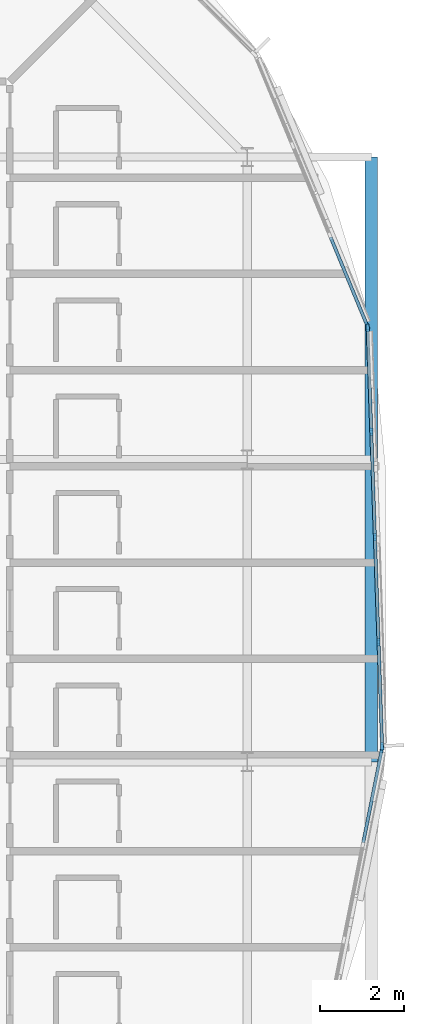
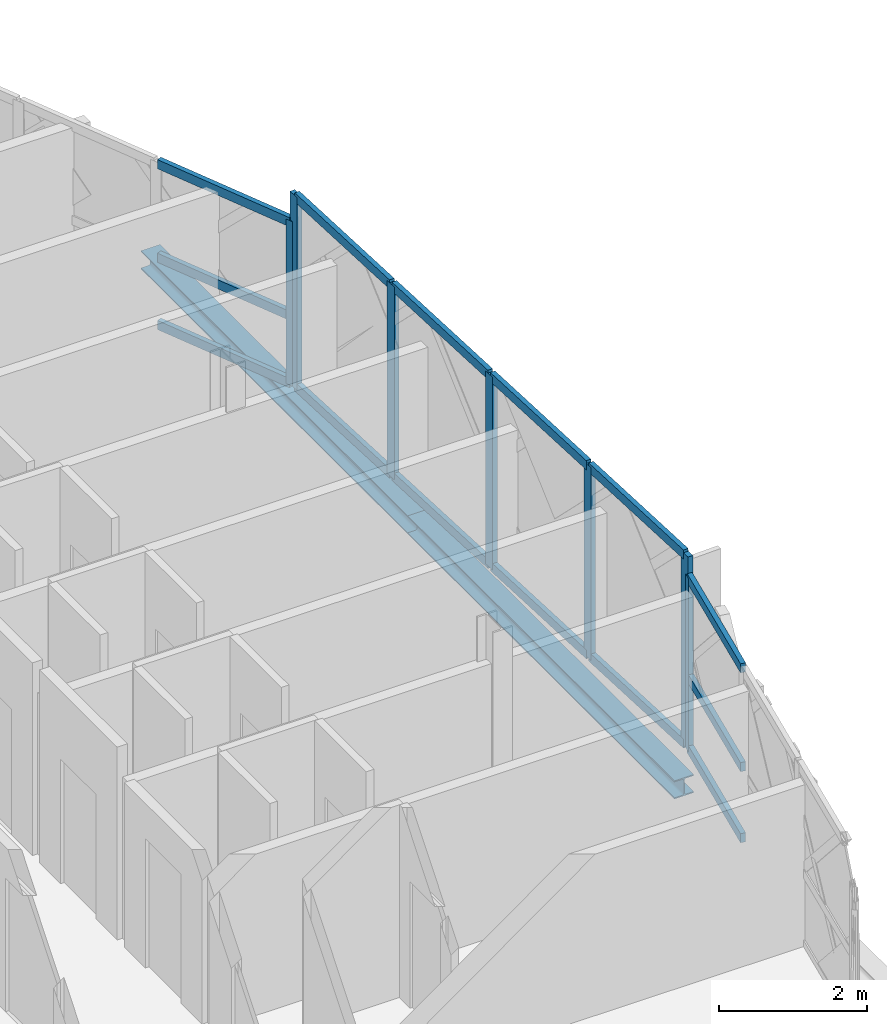
# One storey, part 9 of 25: 21 members, 2 beams, 3 elements without a shape of their own.
"""IFC4 building model written with IfcOpenShell, lengths in metres."""

from ifc_helpers import new_model, si_unit, direction, frame, origin, origin_2d, place, context, subcontext, project, spatial, rectangle, i_section, extrude, material, layer, layer_set, material_profile, profile_set, type_object, element, aggregate, save


model = new_model("IFC4")

# Units and contexts
model_context = context("Model", 3, precision=1e-05, world=origin(), true_north=direction((0.0, 1.0)))
body_context = subcontext(model_context, "Body", "Model", "MODEL_VIEW")
ifc_project = project(units=[si_unit("LENGTHUNIT", "METRE"), si_unit("AREAUNIT", "SQUARE_METRE"), si_unit("VOLUMEUNIT", "CUBIC_METRE"), si_unit("PLANEANGLEUNIT", "RADIAN"), si_unit("MASSUNIT", "GRAM", prefix="KILO")], contexts=[model_context])

# Site, building, storey
site_placement = place(None, origin())
site = spatial("IfcSite", under=ifc_project, at=site_placement, CompositionType="ELEMENT")
building_placement = place(site_placement, origin())
building = spatial("IfcBuilding", under=site, at=building_placement, Name="Zevrakil Square Congress Hotel", CompositionType="ELEMENT")
storey_placement = place(building_placement, frame((0.0, 0.0, 28.300048828125)))
storey = spatial("IfcBuildingStorey", under=building, at=storey_placement, Name="L08", CompositionType="ELEMENT", Elevation=28.300048828125)

# Curtain wall, members
ifc_material_1 = material(Name="Aluminium Anodised Bronze", Category="aluminium")
ifc_layer_1 = layer(ifc_material_1, 0.179931640625)
ifc_layer_set_1 = layer_set([ifc_layer_1], Name="Aluminium Anodised Bronze")
curtain_wall_type_1 = type_object("IfcCurtainWallType", Name="CW-L08-720", PredefinedType="USERDEFINED", material=ifc_layer_set_1)
curtain_wall_1_placement = place(storey_placement, origin())
curtain_wall_1 = element("IfcCurtainWall", 1, at=curtain_wall_1_placement, inside=storey, type_object=curtain_wall_type_1, Name="L08 diamond curtain wall CW-L08-0238", ObjectType="GLAZED CURTAIN WALL", PredefinedType="USERDEFINED")
ifc_material_2 = material(Name="Aluminium Anodised Bronze", Category="aluminium")
ifc_material_profile_1 = material_profile(ifc_material_2, rectangle(XDim=0.074951171875, YDim=0.14990234375, at=origin_2d()), Name="ALU 75x150")
ifc_profile_set_1 = profile_set([ifc_material_profile_1], Name="Aluminium Anodised Bronze")
member_type_1 = type_object("IfcMemberType", Name="CWM-ALU75x150", PredefinedType="USERDEFINED", material=ifc_profile_set_1)
member_1_placement = place(storey_placement, frame((165.96484375, 22.07958984375, 0.030029296875), z_axis=(0.195070495322, 0.98078922397, 0.0), x_axis=(-0.98078922397, 0.195070495322, 0.0)))
member_1 = element("IfcMember", 2, at=member_1_placement, type_object=member_type_1, Name="CW-94 transom 3.1", ObjectType="TRANSOM", PredefinedType="USERDEFINED", context=body_context, shape_type="SweptSolid", body=[
    extrude(rectangle(XDim=0.074951171875, YDim=0.14990234375, at=origin_2d()), origin(), (0.0, 0.0, 1.0), 2.245361328125),
])
member_2_placement = place(storey_placement, frame((165.96484375, 22.07958984375, 1.201171875), z_axis=(0.195070495322, 0.98078922397, 0.0), x_axis=(-0.98078922397, 0.195070495322, 0.0)))
member_2 = element("IfcMember", 3, at=member_2_placement, type_object=member_type_1, Name="CW-94 transom 3.2", ObjectType="TRANSOM", PredefinedType="USERDEFINED", context=body_context, shape_type="SweptSolid", body=[
    extrude(rectangle(XDim=0.074951171875, YDim=0.14990234375, at=origin_2d()), origin(), (0.0, 0.0, 1.0), 2.245361328125),
])
member_3_placement = place(storey_placement, frame((165.96484375, 22.07958984375, 2.829833984375), z_axis=(0.195070495322, 0.98078922397, 0.0), x_axis=(-0.98078922397, 0.195070495322, 0.0)))
member_3 = element("IfcMember", 4, at=member_3_placement, type_object=member_type_1, Name="CW-94 transom 3.3", ObjectType="TRANSOM", PredefinedType="USERDEFINED", context=body_context, shape_type="SweptSolid", body=[
    extrude(rectangle(XDim=0.074951171875, YDim=0.14990234375, at=origin_2d()), origin(), (0.0, 0.0, 1.0), 2.245361328125),
])

ifc_material_3 = material(Name="Aluminium Anodised Bronze", Category="aluminium")
ifc_layer_2 = layer(ifc_material_3, 0.179931640625)
ifc_layer_set_2 = layer_set([ifc_layer_2], Name="Aluminium Anodised Bronze")
curtain_wall_type_2 = type_object("IfcCurtainWallType", Name="CW-L08-900", PredefinedType="USERDEFINED", material=ifc_layer_set_2)
curtain_wall_2_placement = place(storey_placement, origin())
curtain_wall_2 = element("IfcCurtainWall", 5, at=curtain_wall_2_placement, inside=storey, type_object=curtain_wall_type_2, Name="L08 diamond curtain wall CW-L08-0239", ObjectType="GLAZED CURTAIN WALL", PredefinedType="USERDEFINED")
member_4_placement = place(storey_placement, frame((166.412353515625, 24.400390625, 0.030029296875), z_axis=(-0.034343988701, 0.999410071212, 0.0), x_axis=(-0.999410071212, -0.034343988701, 0.0)))
member_4 = element("IfcMember", 6, at=member_4_placement, type_object=member_type_1, Name="CW-96 transom 1.1", ObjectType="TRANSOM", PredefinedType="USERDEFINED", context=body_context, shape_type="SweptSolid", body=[
    extrude(rectangle(XDim=0.074951171875, YDim=0.14990234375, at=origin_2d()), origin(), (0.0, 0.0, 1.0), 2.4169921875),
])
member_5_placement = place(storey_placement, frame((166.412353515625, 24.400390625, 3.14501953125), z_axis=(-0.034343988701, 0.999410071212, 0.0), x_axis=(-0.999410071212, -0.034343988701, 0.0)))
member_5 = element("IfcMember", 7, at=member_5_placement, type_object=member_type_1, Name="CW-96 transom 1.2", ObjectType="TRANSOM", PredefinedType="USERDEFINED", context=body_context, shape_type="SweptSolid", body=[
    extrude(rectangle(XDim=0.074951171875, YDim=0.14990234375, at=origin_2d()), origin(), (0.0, 0.0, 1.0), 2.4169921875),
])
member_6_placement = place(storey_placement, frame((166.3271484375, 26.8759765625, 0.030029296875), z_axis=(-0.034421040236, 0.999407420419, 0.0), x_axis=(-0.999407420419, -0.034421040236, 0.0)))
member_6 = element("IfcMember", 8, at=member_6_placement, type_object=member_type_1, Name="CW-96 transom 2.1", ObjectType="TRANSOM", PredefinedType="USERDEFINED", context=body_context, shape_type="SweptSolid", body=[
    extrude(rectangle(XDim=0.074951171875, YDim=0.14990234375, at=origin_2d()), origin(), (0.0, 0.0, 1.0), 2.447021484375),
])
member_7_placement = place(storey_placement, frame((166.3271484375, 26.8759765625, 3.14501953125), z_axis=(-0.034421040236, 0.999407420419, 0.0), x_axis=(-0.999407420419, -0.034421040236, 0.0)))
member_7 = element("IfcMember", 9, at=member_7_placement, type_object=member_type_1, Name="CW-96 transom 2.2", ObjectType="TRANSOM", PredefinedType="USERDEFINED", context=body_context, shape_type="SweptSolid", body=[
    extrude(rectangle(XDim=0.074951171875, YDim=0.14990234375, at=origin_2d()), origin(), (0.0, 0.0, 1.0), 2.447021484375),
])
member_8_placement = place(storey_placement, frame((166.240966796875, 29.38134765625, 0.030029296875), z_axis=(-0.034421040236, 0.999407420419, 0.0), x_axis=(-0.999407420419, -0.034421040236, 0.0)))
member_8 = element("IfcMember", 10, at=member_8_placement, type_object=member_type_1, Name="CW-96 transom 3.1", ObjectType="TRANSOM", PredefinedType="USERDEFINED", context=body_context, shape_type="SweptSolid", body=[
    extrude(rectangle(XDim=0.074951171875, YDim=0.14990234375, at=origin_2d()), origin(), (0.0, 0.0, 1.0), 2.447021484375),
])
member_9_placement = place(storey_placement, frame((166.240966796875, 29.38134765625, 3.14501953125), z_axis=(-0.034421040236, 0.999407420419, 0.0), x_axis=(-0.999407420419, -0.034421040236, 0.0)))
member_9 = element("IfcMember", 11, at=member_9_placement, type_object=member_type_1, Name="CW-96 transom 3.2", ObjectType="TRANSOM", PredefinedType="USERDEFINED", context=body_context, shape_type="SweptSolid", body=[
    extrude(rectangle(XDim=0.074951171875, YDim=0.14990234375, at=origin_2d()), origin(), (0.0, 0.0, 1.0), 2.447021484375),
])
member_10_placement = place(storey_placement, frame((166.15478515625, 31.88671875, 0.030029296875), z_axis=(-0.034444880763, 0.999406599032, 0.0), x_axis=(-0.999406599032, -0.034444880763, 0.0)))
member_10 = element("IfcMember", 12, at=member_10_placement, type_object=member_type_1, Name="CW-96 transom 4.1", ObjectType="TRANSOM", PredefinedType="USERDEFINED", context=body_context, shape_type="SweptSolid", body=[
    extrude(rectangle(XDim=0.074951171875, YDim=0.14990234375, at=origin_2d()), origin(), (0.0, 0.0, 1.0), 2.4169921875),
])
member_11_placement = place(storey_placement, frame((166.15478515625, 31.88671875, 3.14501953125), z_axis=(-0.034444880763, 0.999406599032, 0.0), x_axis=(-0.999406599032, -0.034444880763, 0.0)))
member_11 = element("IfcMember", 13, at=member_11_placement, type_object=member_type_1, Name="CW-96 transom 4.2", ObjectType="TRANSOM", PredefinedType="USERDEFINED", context=body_context, shape_type="SweptSolid", body=[
    extrude(rectangle(XDim=0.074951171875, YDim=0.14990234375, at=origin_2d()), origin(), (0.0, 0.0, 1.0), 2.4169921875),
])

curtain_wall_3_placement = place(storey_placement, origin())
curtain_wall_3 = element("IfcCurtainWall", 14, at=curtain_wall_3_placement, inside=storey, type_object=curtain_wall_type_1, Name="L08 diamond curtain wall CW-L08-0240", ObjectType="GLAZED CURTAIN WALL", PredefinedType="USERDEFINED")
member_12_placement = place(storey_placement, frame((166.046630859375, 34.417724609375, 0.030029296875), z_axis=(-0.382723093326, 0.923863103406, 0.0), x_axis=(-0.923863103406, -0.382723093326, 0.0)))
member_12 = element("IfcMember", 15, at=member_12_placement, type_object=member_type_1, Name="CW-94 transom 1.1", ObjectType="TRANSOM", PredefinedType="USERDEFINED", context=body_context, shape_type="SweptSolid", body=[
    extrude(rectangle(XDim=0.074951171875, YDim=0.14990234375, at=origin_2d()), origin(), (0.0, 0.0, 1.0), 2.245361328125),
])
member_13_placement = place(storey_placement, frame((166.046630859375, 34.417724609375, 1.13818359375), z_axis=(-0.382723093326, 0.923863103406, 0.0), x_axis=(-0.923863103406, -0.382723093326, 0.0)))
member_13 = element("IfcMember", 16, at=member_13_placement, type_object=member_type_1, Name="CW-94 transom 1.2", ObjectType="TRANSOM", PredefinedType="USERDEFINED", context=body_context, shape_type="SweptSolid", body=[
    extrude(rectangle(XDim=0.074951171875, YDim=0.14990234375, at=origin_2d()), origin(), (0.0, 0.0, 1.0), 2.245361328125),
])
member_14_placement = place(storey_placement, frame((166.046630859375, 34.417724609375, 2.679931640625), z_axis=(-0.382723093326, 0.923863103406, 0.0), x_axis=(-0.923863103406, -0.382723093326, 0.0)))
member_14 = element("IfcMember", 17, at=member_14_placement, type_object=member_type_1, Name="CW-94 transom 1.3", ObjectType="TRANSOM", PredefinedType="USERDEFINED", context=body_context, shape_type="SweptSolid", body=[
    extrude(rectangle(XDim=0.074951171875, YDim=0.14990234375, at=origin_2d()), origin(), (0.0, 0.0, 1.0), 2.245361328125),
])

# Member
ifc_material_4 = material(Name="Aluminium Anodised Bronze", Category="aluminium")
ifc_material_profile_2 = material_profile(ifc_material_4, rectangle(XDim=0.074951171875, YDim=0.179931640625, at=origin_2d()), Name="ALU 75x180")
ifc_profile_set_2 = profile_set([ifc_material_profile_2], Name="Aluminium Anodised Bronze")
member_type_2 = type_object("IfcMemberType", Name="CWM-ALU75x180", PredefinedType="MULLION", material=ifc_profile_set_2)
member_15_placement = place(storey_placement, frame((166.40869140625, 24.31103515625, 0.0), z_axis=(0.0, 0.0, 1.0), x_axis=(-0.980786557708, 0.195083900459, 0.0)))
member_15 = element("IfcMember", 18, at=member_15_placement, type_object=member_type_2, Name="CW-94 mullion 4", PredefinedType="MULLION", context=body_context, shape_type="SweptSolid", body=[
    extrude(rectangle(XDim=0.074951171875, YDim=0.179931640625, at=origin_2d()), origin(), (0.0, 0.0, 1.0), 2.85986328125),
])

aggregate(curtain_wall_1, [member_15, member_1, member_2, member_3])

member_16_placement = place(storey_placement, frame((166.41357421875, 24.370361328125, 0.0), z_axis=(0.0, 0.0, 1.0), x_axis=(-0.999407987418, -0.034404573593, 0.0)))
member_16 = element("IfcMember", 19, at=member_16_placement, type_object=member_type_2, Name="CW-96 mullion 1", PredefinedType="MULLION", context=body_context, shape_type="SweptSolid", body=[
    extrude(rectangle(XDim=0.074951171875, YDim=0.179931640625, at=origin_2d()), origin(), (0.0, 0.0, 1.0), 3.175048828125),
])

member_17_placement = place(storey_placement, frame((166.328369140625, 26.845947265625, 0.0), z_axis=(0.0, 0.0, 1.0), x_axis=(-0.999407987418, -0.034404573593, 0.0)))
member_17 = element("IfcMember", 20, at=member_17_placement, type_object=member_type_2, Name="CW-96 mullion 2", PredefinedType="MULLION", context=body_context, shape_type="SweptSolid", body=[
    extrude(rectangle(XDim=0.074951171875, YDim=0.179931640625, at=origin_2d()), origin(), (0.0, 0.0, 1.0), 3.175048828125),
])

member_18_placement = place(storey_placement, frame((166.241943359375, 29.351318359375, 0.0), z_axis=(0.0, 0.0, 1.0), x_axis=(-0.999407987418, -0.034404573593, 0.0)))
member_18 = element("IfcMember", 21, at=member_18_placement, type_object=member_type_2, Name="CW-96 mullion 3", PredefinedType="MULLION", context=body_context, shape_type="SweptSolid", body=[
    extrude(rectangle(XDim=0.074951171875, YDim=0.179931640625, at=origin_2d()), origin(), (0.0, 0.0, 1.0), 3.175048828125),
])

member_19_placement = place(storey_placement, frame((166.15576171875, 31.85693359375, 0.0), z_axis=(0.0, 0.0, 1.0), x_axis=(-0.999407987418, -0.034404573593, 0.0)))
member_19 = element("IfcMember", 22, at=member_19_placement, type_object=member_type_2, Name="CW-96 mullion 4", PredefinedType="MULLION", context=body_context, shape_type="SweptSolid", body=[
    extrude(rectangle(XDim=0.074951171875, YDim=0.179931640625, at=origin_2d()), origin(), (0.0, 0.0, 1.0), 3.175048828125),
])

member_20_placement = place(storey_placement, frame((166.070556640625, 34.332275390625, 0.0), z_axis=(0.0, 0.0, 1.0), x_axis=(-0.999407987418, -0.034404573593, 0.0)))
member_20 = element("IfcMember", 23, at=member_20_placement, type_object=member_type_2, Name="CW-96 mullion 5", PredefinedType="MULLION", context=body_context, shape_type="SweptSolid", body=[
    extrude(rectangle(XDim=0.074951171875, YDim=0.179931640625, at=origin_2d()), origin(), (0.0, 0.0, 1.0), 3.175048828125),
])

aggregate(curtain_wall_2, [member_16, member_17, member_18, member_19, member_20, member_4, member_5, member_6, member_7, member_8, member_9, member_10, member_11])

member_21_placement = place(storey_placement, frame((166.05810546875, 34.39013671875, 0.0), z_axis=(0.0, 0.0, 1.0), x_axis=(-0.92387939537, -0.382683763454, 0.0)))
member_21 = element("IfcMember", 24, at=member_21_placement, type_object=member_type_2, Name="CW-94 mullion 1", PredefinedType="MULLION", context=body_context, shape_type="SweptSolid", body=[
    extrude(rectangle(XDim=0.074951171875, YDim=0.179931640625, at=origin_2d()), origin(), (0.0, 0.0, 1.0), 2.7099609375),
])

aggregate(curtain_wall_3, [member_21, member_12, member_13, member_14])

# Beams
ifc_material_5 = material(Name="Steel S355", Category="steel")
ifc_material_profile_3 = material_profile(ifc_material_5, i_section(OverallWidth=0.300048828125, OverallDepth=0.300048828125, WebThickness=0.010986328125, FlangeThickness=0.01904296875, FilletRadius=0.027099609375, at=origin_2d()), Name="HEB 300")
ifc_profile_set_3 = profile_set([ifc_material_profile_3], Name="Steel S355")
beam_type = type_object("IfcBeamType", Name="SPD-RHS250", PredefinedType="SPANDREL", material=ifc_profile_set_3)
for number, where, z_axis, x_axis, name in (
    (25, (166.154541015625, 24.0, -0.360107421875), (0.0, 1.0, 0.0), (-1.0, 0.0, 0.0), "L08 drum edge spandrel beam DSP-05"),
    (26, (166.154541015625, 31.199951171875, -0.360107421875), (0.0, 1.0, 0.0), (-1.0, 0.0, 0.0), "L08 drum edge spandrel beam DSP-06"),
):
    element("IfcBeam", number, at=place(storey_placement, frame(where, z_axis=z_axis, x_axis=x_axis)), inside=storey, type_object=beam_type, Name=name, PredefinedType="SPANDREL", context=body_context, shape_type="SweptSolid", body=[
        extrude(i_section(OverallWidth=0.300048828125, OverallDepth=0.300048828125, WebThickness=0.010986328125, FlangeThickness=0.01904296875, FilletRadius=0.027099609375, at=origin_2d()), origin(), (0.0, 0.0, 1.0), 7.199951171875),
    ])

save(model, "model.ifc")
